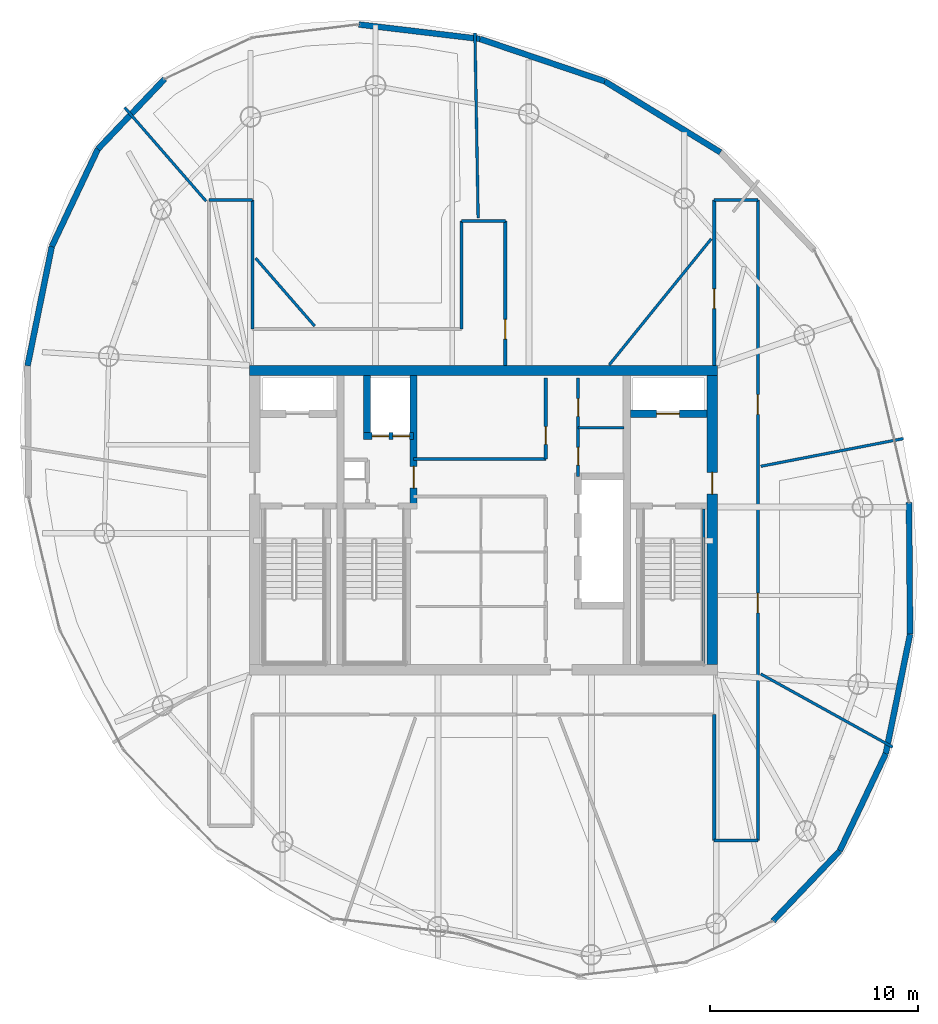
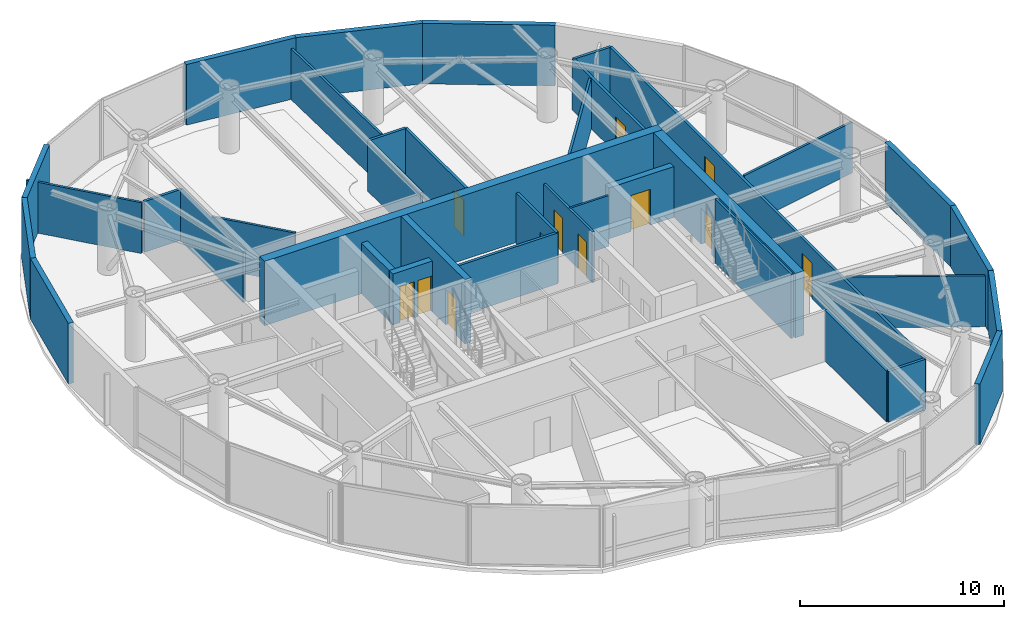
# One storey, part 17 of 21: 37 walls, 12 doors, 12 openings.
"""IFC4 building model written with IfcOpenShell, lengths in metres."""

from ifc_helpers import new_model, si_unit, direction, frame, frame_2d, origin, place, context, subcontext, project, spatial, rectangle, extrude, material, layer, layer_set, type_object, element, fill, save


model = new_model("IFC4")

# Units and contexts
model_context = context("Model", 3, precision=1e-05, world=origin(), true_north=direction((0.0, 1.0)))
body_context = subcontext(model_context, "Body", "Model", "MODEL_VIEW")
ifc_project = project(units=[si_unit("LENGTHUNIT", "METRE"), si_unit("AREAUNIT", "SQUARE_METRE"), si_unit("VOLUMEUNIT", "CUBIC_METRE"), si_unit("PLANEANGLEUNIT", "RADIAN"), si_unit("MASSUNIT", "GRAM", prefix="KILO")], contexts=[model_context])

# Site, building, storey
site_placement = place(None, origin())
site = spatial("IfcSite", under=ifc_project, at=site_placement, CompositionType="ELEMENT")
building_placement = place(site_placement, origin())
building = spatial("IfcBuilding", under=site, at=building_placement, Name="Bramvorn Convention Spire", CompositionType="ELEMENT")
storey_placement = place(building_placement, frame((0.0, 0.0, 249.75)))
storey = spatial("IfcBuildingStorey", under=building, at=storey_placement, Name="L63", CompositionType="ELEMENT", Elevation=249.75)

# Wall
ifc_material_1 = material(Name="Concrete C50/60", Category="concrete")
ifc_layer_1 = layer(ifc_material_1, 0.5)
ifc_layer_set_1 = layer_set([ifc_layer_1], Name="Concrete C50/60 - WL-CORE-500")
wall_type_1 = type_object("IfcWallType", Name="WL-CORE-500", PredefinedType="SHEAR", material=ifc_layer_set_1)
wall_1_placement = place(storey_placement, frame((26.75, 33.199951171875, 0.0), z_axis=(0.0, 0.0, 1.0), x_axis=(1.0, 0.0, 0.0)))
element("IfcWall", 1, at=wall_1_placement, inside=storey, type_object=wall_type_1, Name="L63 North RC core shear wall", PredefinedType="SHEAR", context=body_context, shape_type="SweptSolid", body=[
    extrude(rectangle(XDim=22.5, YDim=0.5, at=frame_2d((11.25, 0.0))), origin(), (0.0, 0.0, 1.0), 3.85009765625),
])

# Wall, opening, door
wall_2_placement = place(storey_placement, frame((49.0, 19.050048828125, 0.0), z_axis=(0.0, 0.0, 1.0), x_axis=(0.0, 1.0, 0.0)))
wall_2 = element("IfcWall", 2, at=wall_2_placement, inside=storey, type_object=wall_type_1, Name="L63 East RC core shear wall", PredefinedType="SHEAR", context=body_context, shape_type="SweptSolid", body=[
    extrude(rectangle(XDim=13.89990234375, YDim=0.5, at=frame_2d((6.949951171875, 0.0))), origin(), (0.0, 0.0, 1.0), 3.85009765625),
])
opening_1_placement = place(wall_2_placement, frame((8.199951171875, 0.0, 0.0)))
opening_1 = element("IfcOpeningElement", 3, at=opening_1_placement, cuts=wall_2, Name="Opening DL-105", PredefinedType="OPENING", context=body_context, shape_type="SweptSolid", body=[
    extrude(rectangle(XDim=1.050048828125, YDim=2.14990234375, at=frame_2d((0.52490234375, 1.074951171875))), frame((0.0, 0.260009765625, 0.0), z_axis=(0.0, -1.0, 0.0), x_axis=(1.0, 0.0, 0.0)), (0.0, 0.0, 1.0), 0.52001953125),
])
ifc_material_2 = material(Name="Smoke-Sealed Fire Lobby Timber-Core Door", Category="wood")
door_type_1 = type_object("IfcDoorType", Name="DR-LOBBY-1050", OperationType="NOTDEFINED", PredefinedType="DOOR", material=ifc_material_2)
door_1_placement = place(opening_1_placement, origin())
door_1 = element("IfcDoor", 4, at=door_1_placement, inside=storey, type_object=door_type_1, Name="L63 East Firefighting Lobby corridor door", OperationType="SINGLE_SWING_LEFT", OverallHeight=2.14990234375, OverallWidth=1.050048828125, PredefinedType="DOOR", context=body_context, shape_type="SweptSolid", body=[
    extrude(rectangle(XDim=1.050048828125, YDim=2.14990234375, at=frame_2d((0.52490234375, 1.074951171875))), frame((0.0, 0.02490234375, 0.0), z_axis=(0.0, -1.0, 0.0), x_axis=(1.0, 0.0, 0.0)), (0.0, 0.0, 1.0), 0.050048828125),
])
fill(opening_1, door_1)

ifc_layer_2 = layer(ifc_material_1, 0.35009765625)
ifc_layer_set_2 = layer_set([ifc_layer_2], Name="Concrete C50/60 - WL-CORE-INT-350")
wall_type_2 = type_object("IfcWallType", Name="WL-CORE-INT-350", PredefinedType="SHEAR", material=ifc_layer_set_2)
wall_3_placement = place(storey_placement, frame((45.080078125, 31.1201171875, 0.0), z_axis=(0.0, 0.0, 1.0), x_axis=(1.0, 0.0, 0.0)))
wall_3 = element("IfcWall", 5, at=wall_3_placement, inside=storey, type_object=wall_type_2, Name="L63 FE2 shaft front wall", PredefinedType="SHEAR", context=body_context, shape_type="SweptSolid", body=[
    extrude(rectangle(XDim=3.669921875, YDim=0.35009765625, at=frame_2d((1.8349609375, 0.0))), origin(), (0.0, 0.0, 1.0), 3.0400390625),
])
opening_2_placement = place(wall_3_placement, frame((1.25, 0.0, 0.0)))
opening_2 = element("IfcOpeningElement", 6, at=opening_2_placement, cuts=wall_3, Name="Opening LD-110", PredefinedType="OPENING", context=body_context, shape_type="SweptSolid", body=[
    extrude(rectangle(XDim=1.10009765625, YDim=2.14990234375, at=frame_2d((0.550048828125, 1.074951171875))), frame((0.0, 0.18505859375, 0.0), z_axis=(0.0, -1.0, 0.0), x_axis=(1.0, 0.0, 0.0)), (0.0, 0.0, 1.0), 0.3701171875),
])
ifc_material_3 = material(Name="Firefighting & Service Lift Sliding Landing Door", Category="steel")
door_type_2 = type_object("IfcDoorType", Name="DR-LIFT-LD-1100", OperationType="NOTDEFINED", PredefinedType="DOOR", material=ifc_material_3)
door_2_placement = place(opening_2_placement, origin())
door_2 = element("IfcDoor", 7, at=door_2_placement, inside=storey, type_object=door_type_2, Name="L63 Lift FE2 Sliding Landing Door", OperationType="SLIDING_TO_LEFT", OverallHeight=2.14990234375, OverallWidth=1.10009765625, PredefinedType="DOOR", context=body_context, shape_type="SweptSolid", body=[
    extrude(rectangle(XDim=1.10009765625, YDim=2.14990234375, at=frame_2d((0.550048828125, 1.074951171875))), frame((0.0, 0.02490234375, 0.0), z_axis=(0.0, -1.0, 0.0), x_axis=(1.0, 0.0, 0.0)), (0.0, 0.0, 1.0), 0.050048828125),
])
fill(opening_2, door_2)

wall_4_placement = place(storey_placement, frame((34.639892578125, 26.68994140625, 0.0), z_axis=(0.0, 0.0, 1.0), x_axis=(0.0, 1.0, 0.0)))
wall_4 = element("IfcWall", 8, at=wall_4_placement, inside=storey, type_object=wall_type_2, Name="L63 SV east core shaft wall", PredefinedType="SHEAR", context=body_context, shape_type="SweptSolid", body=[
    extrude(rectangle(XDim=6.260009765625, YDim=0.35009765625, at=frame_2d((3.1298828125, 0.0))), origin(), (0.0, 0.0, 1.0), 3.85009765625),
])
opening_3_placement = place(wall_4_placement, frame((0.85009765625, 0.0, 0.0)))
opening_3 = element("IfcOpeningElement", 9, at=opening_3_placement, cuts=wall_4, Name="Opening DL-105", PredefinedType="OPENING", context=body_context, shape_type="SweptSolid", body=[
    extrude(rectangle(XDim=1.050048828125, YDim=2.14990234375, at=frame_2d((0.52490234375, 1.074951171875))), frame((0.0, 0.18505859375, 0.0), z_axis=(0.0, -1.0, 0.0), x_axis=(1.0, 0.0, 0.0)), (0.0, 0.0, 1.0), 0.3701171875),
])
door_3_placement = place(opening_3_placement, origin())
door_3 = element("IfcDoor", 10, at=door_3_placement, inside=storey, type_object=door_type_1, Name="L63 Core cross-passage door", OperationType="SINGLE_SWING_RIGHT", OverallHeight=2.14990234375, OverallWidth=1.050048828125, PredefinedType="DOOR", context=body_context, shape_type="SweptSolid", body=[
    extrude(rectangle(XDim=1.050048828125, YDim=2.14990234375, at=frame_2d((0.52490234375, 1.074951171875))), frame((0.0, 0.02490234375, 0.0), z_axis=(0.0, -1.0, 0.0), x_axis=(1.0, 0.0, 0.0)), (0.0, 0.0, 1.0), 0.050048828125),
])
fill(opening_3, door_3)

# Wall, openings, doors
wall_5_placement = place(storey_placement, frame((32.22998046875, 30.050048828125, 0.0), z_axis=(0.0, 0.0, 1.0), x_axis=(1.0, 0.0, 0.0)))
wall_5 = element("IfcWall", 11, at=wall_5_placement, inside=storey, type_object=wall_type_2, Name="L63 SV1/SV2 shaft front wall", PredefinedType="SHEAR", context=body_context, shape_type="SweptSolid", body=[
    extrude(rectangle(XDim=2.409912109375, YDim=0.35009765625, at=frame_2d((1.205078125, 0.0))), origin(), (0.0, 0.0, 1.0), 3.0400390625),
])
opening_4_placement = place(wall_5_placement, frame((0.419921875, 0.0, 0.0)))
opening_4 = element("IfcOpeningElement", 12, at=opening_4_placement, cuts=wall_5, Name="Opening LD-080", PredefinedType="OPENING", context=body_context, shape_type="SweptSolid", body=[
    extrude(rectangle(XDim=0.800048828125, YDim=2.14990234375, at=frame_2d((0.39990234375, 1.074951171875))), frame((0.0, 0.18505859375, 0.0), z_axis=(0.0, -1.0, 0.0), x_axis=(1.0, 0.0, 0.0)), (0.0, 0.0, 1.0), 0.3701171875),
])
opening_5_placement = place(wall_5_placement, frame((1.419921875, 0.0, 0.0)))
opening_5 = element("IfcOpeningElement", 13, at=opening_5_placement, cuts=wall_5, Name="Opening LD-080", PredefinedType="OPENING", context=body_context, shape_type="SweptSolid", body=[
    extrude(rectangle(XDim=0.800048828125, YDim=2.14990234375, at=frame_2d((0.39990234375, 1.074951171875))), frame((0.0, 0.18505859375, 0.0), z_axis=(0.0, -1.0, 0.0), x_axis=(1.0, 0.0, 0.0)), (0.0, 0.0, 1.0), 0.3701171875),
])
ifc_material_4 = material(Name="Service Lift Bi-Parting Landing Door", Category="steel")
door_type_3 = type_object("IfcDoorType", Name="DR-LIFT-LD-800", OperationType="NOTDEFINED", PredefinedType="DOOR", material=ifc_material_4)
door_4_placement = place(opening_4_placement, origin())
door_4 = element("IfcDoor", 14, at=door_4_placement, inside=storey, type_object=door_type_3, Name="L63 Lift SV1 Sliding Landing Door", OperationType="SLIDING_TO_LEFT", OverallHeight=2.14990234375, OverallWidth=0.800048828125, PredefinedType="DOOR", context=body_context, shape_type="SweptSolid", body=[
    extrude(rectangle(XDim=0.800048828125, YDim=2.14990234375, at=frame_2d((0.39990234375, 1.074951171875))), frame((0.0, 0.02490234375, 0.0), z_axis=(0.0, -1.0, 0.0), x_axis=(1.0, 0.0, 0.0)), (0.0, 0.0, 1.0), 0.050048828125),
])
fill(opening_4, door_4)
door_5_placement = place(opening_5_placement, origin())
door_5 = element("IfcDoor", 15, at=door_5_placement, inside=storey, type_object=door_type_3, Name="L63 Lift SV2 Sliding Landing Door", OperationType="SLIDING_TO_LEFT", OverallHeight=2.14990234375, OverallWidth=0.800048828125, PredefinedType="DOOR", context=body_context, shape_type="SweptSolid", body=[
    extrude(rectangle(XDim=0.800048828125, YDim=2.14990234375, at=frame_2d((0.39990234375, 1.074951171875))), frame((0.0, 0.02490234375, 0.0), z_axis=(0.0, -1.0, 0.0), x_axis=(1.0, 0.0, 0.0)), (0.0, 0.0, 1.0), 0.050048828125),
])
fill(opening_5, door_5)

# Walls
wall_6_placement = place(storey_placement, frame((32.39990234375, 30.219970703125, 0.0), z_axis=(0.0, 0.0, 1.0), x_axis=(0.0, 1.0, 0.0)))
element("IfcWall", 16, at=wall_6_placement, inside=storey, type_object=wall_type_2, Name="L63 SV1 west hoistway wall", PredefinedType="SHEAR", context=body_context, shape_type="SweptSolid", body=[
    extrude(rectangle(XDim=2.72998046875, YDim=0.35009765625, at=frame_2d((1.364990234375, 0.0))), origin(), (0.0, 0.0, 1.0), 3.0400390625),
])
ifc_material_5 = material(Name="Precast Concrete C40/50 with Bronze Terracotta Rainscreen", Category="masonry")
ifc_layer_3 = layer(ifc_material_5, 0.300048828125)
ifc_layer_set_3 = layer_set([ifc_layer_3], Name="Precast Concrete C40/50 with Bronze Terracotta Rainscreen - WL-EXT-BRONZE-300")
wall_type_3 = type_object("IfcWallType", Name="WL-EXT-BRONZE-300", PredefinedType="SOLIDWALL", material=ifc_layer_set_3)
wall_7_placement = place(storey_placement, frame((55.134521484375, 10.0927734375, 0.0), z_axis=(0.0, 0.0, 1.0), x_axis=(-0.68967876669, -0.724115459562, 0.0)))
element("IfcWall", 17, at=wall_7_placement, inside=storey, type_object=wall_type_3, Name="L63 expressed bronze Gothic lancet pier wall 01", PredefinedType="SOLIDWALL", context=body_context, shape_type="SweptSolid", body=[
    extrude(rectangle(XDim=4.650634765625, YDim=0.280029296875, at=frame_2d((2.3251953125, 0.0))), origin(), (0.0, 0.0, 1.0), 3.625),
])
wall_8_placement = place(storey_placement, frame((57.3515625, 14.7734375, 0.0), z_axis=(0.0, 0.0, 1.0), x_axis=(-0.428068107667, -0.903746477281, 0.0)))
element("IfcWall", 18, at=wall_8_placement, inside=storey, type_object=wall_type_3, Name="L63 expressed bronze Gothic lancet pier wall 02", PredefinedType="SOLIDWALL", context=body_context, shape_type="SweptSolid", body=[
    extrude(rectangle(XDim=5.17919921875, YDim=0.280029296875, at=frame_2d((2.589599609375, 0.0))), origin(), (0.0, 0.0, 1.0), 3.625),
])
wall_9_placement = place(storey_placement, frame((58.5205078125, 20.515625, 0.0), z_axis=(0.0, 0.0, 1.0), x_axis=(-0.199480028062, -0.979901892234, 0.0)))
element("IfcWall", 19, at=wall_9_placement, inside=storey, type_object=wall_type_3, Name="L63 expressed bronze Gothic lancet pier wall 03", PredefinedType="SOLIDWALL", context=body_context, shape_type="SweptSolid", body=[
    extrude(rectangle(XDim=5.85986328125, YDim=0.280029296875, at=frame_2d((2.929931640625, 0.0))), origin(), (0.0, 0.0, 1.0), 3.625),
])
wall_10_placement = place(storey_placement, frame((58.46826171875, 26.860595703125, 0.0), z_axis=(0.0, 0.0, 1.0), x_axis=(0.008233973814, -0.999966100263, 0.0)))
element("IfcWall", 20, at=wall_10_placement, inside=storey, type_object=wall_type_3, Name="L63 expressed bronze Gothic lancet pier wall 04", PredefinedType="SOLIDWALL", context=body_context, shape_type="SweptSolid", body=[
    extrude(rectangle(XDim=6.34521484375, YDim=0.280029296875, at=frame_2d((3.172607421875, 0.0))), origin(), (0.0, 0.0, 1.0), 3.625),
])
wall_11_placement = place(storey_placement, frame((43.83837890625, 47.108154296875, 0.0), z_axis=(0.0, 0.0, 1.0), x_axis=(0.852253742536, -0.523128625038, 0.0)))
element("IfcWall", 21, at=wall_11_placement, inside=storey, type_object=wall_type_3, Name="L63 expressed bronze Gothic lancet pier wall 08", PredefinedType="SOLIDWALL", context=body_context, shape_type="SweptSolid", body=[
    extrude(rectangle(XDim=6.526123046875, YDim=0.280029296875, at=frame_2d((3.26318359375, 0.0))), origin(), (0.0, 0.0, 1.0), 3.625),
])
wall_12_placement = place(storey_placement, frame((37.83056640625, 49.14990234375, 0.0), z_axis=(0.0, 0.0, 1.0), x_axis=(0.946816357847, -0.321774431107, 0.0)))
element("IfcWall", 22, at=wall_12_placement, inside=storey, type_object=wall_type_3, Name="L63 expressed bronze Gothic lancet pier wall 09", PredefinedType="SOLIDWALL", context=body_context, shape_type="SweptSolid", body=[
    extrude(rectangle(XDim=6.34521484375, YDim=0.280029296875, at=frame_2d((3.172607421875, 0.0))), origin(), (0.0, 0.0, 1.0), 3.625),
])
wall_13_placement = place(storey_placement, frame((32.01171875, 49.84326171875, 0.0), z_axis=(0.0, 0.0, 1.0), x_axis=(0.992975459994, -0.118320479415, 0.0)))
element("IfcWall", 23, at=wall_13_placement, inside=storey, type_object=wall_type_3, Name="L63 expressed bronze Gothic lancet pier wall 10", PredefinedType="SOLIDWALL", context=body_context, shape_type="SweptSolid", body=[
    extrude(rectangle(XDim=5.860107421875, YDim=0.280029296875, at=frame_2d((2.93017578125, 0.0))), origin(), (0.0, 0.0, 1.0), 3.625),
])
wall_14_placement = place(storey_placement, frame((19.4599609375, 43.852783203125, 0.0), z_axis=(0.0, 0.0, 1.0), x_axis=(0.68967745757, 0.724116706422, 0.0)))
element("IfcWall", 24, at=wall_14_placement, inside=storey, type_object=wall_type_3, Name="L63 expressed bronze Gothic lancet pier wall 13", PredefinedType="SOLIDWALL", context=body_context, shape_type="SweptSolid", body=[
    extrude(rectangle(XDim=4.650390625, YDim=0.280029296875, at=frame_2d((2.3251953125, 0.0))), origin(), (0.0, 0.0, 1.0), 3.625),
])
wall_15_placement = place(storey_placement, frame((17.242919921875, 39.172119140625, 0.0), z_axis=(0.0, 0.0, 1.0), x_axis=(0.428068107667, 0.903746477281, 0.0)))
element("IfcWall", 25, at=wall_15_placement, inside=storey, type_object=wall_type_3, Name="L63 expressed bronze Gothic lancet pier wall 14", PredefinedType="SOLIDWALL", context=body_context, shape_type="SweptSolid", body=[
    extrude(rectangle(XDim=5.17919921875, YDim=0.280029296875, at=frame_2d((2.589599609375, 0.0))), origin(), (0.0, 0.0, 1.0), 3.625),
])
wall_16_placement = place(storey_placement, frame((16.073974609375, 33.4296875, 0.0), z_axis=(0.0, 0.0, 1.0), x_axis=(0.199471884584, 0.979903549979, 0.0)))
element("IfcWall", 26, at=wall_16_placement, inside=storey, type_object=wall_type_3, Name="L63 expressed bronze Gothic lancet pier wall 15", PredefinedType="SOLIDWALL", context=body_context, shape_type="SweptSolid", body=[
    extrude(rectangle(XDim=5.860107421875, YDim=0.280029296875, at=frame_2d((2.93017578125, 0.0))), origin(), (0.0, 0.0, 1.0), 3.625),
])
ifc_material_6 = material(Name="Lightweight En-Suite & Wet-Wall Partition", Category="gypsum")
ifc_layer_4 = layer(ifc_material_6, 0.110107421875)
ifc_layer_set_4 = layer_set([ifc_layer_4], Name="Lightweight En-Suite & Wet-Wall Partition - WL-PART-110")
wall_type_4 = type_object("IfcWallType", Name="WL-PART-110", PredefinedType="PARTITIONING", material=ifc_layer_set_4)
wall_17_placement = place(storey_placement, frame((42.550048828125, 30.449951171875, 0.0), z_axis=(0.0, 0.0, 1.0), x_axis=(1.0, 0.0, 0.0)))
element("IfcWall", 27, at=wall_17_placement, inside=storey, type_object=wall_type_4, Name="L63 KB NE divider", PredefinedType="PARTITIONING", context=body_context, shape_type="SweptSolid", body=[
    extrude(rectangle(XDim=2.199951171875, YDim=0.110107421875, at=frame_2d((1.10009765625, 0.0))), origin(), (0.0, 0.0, 1.0), 3.0400390625),
])

# Wall, openings, doors
ifc_material_7 = material(Name="Metal-Stud Demountable Office Partition", Category="gypsum")
ifc_layer_5 = layer(ifc_material_7, 0.1298828125)
ifc_layer_set_5 = layer_set([ifc_layer_5], Name="Metal-Stud Demountable Office Partition - WL-PART-130")
wall_type_5 = type_object("IfcWallType", Name="WL-PART-130", PredefinedType="PARTITIONING", material=ifc_layer_set_5)
wall_18_placement = place(storey_placement, frame((42.550048828125, 28.10009765625, 0.0), z_axis=(0.0, 0.0, 1.0), x_axis=(0.0, 1.0, 0.0)))
wall_18 = element("IfcWall", 28, at=wall_18_placement, inside=storey, type_object=wall_type_5, Name="L63 KB NE split wall", PredefinedType="PARTITIONING", context=body_context, shape_type="SweptSolid", body=[
    extrude(rectangle(XDim=4.75, YDim=0.1298828125, at=frame_2d((2.375, 0.0))), origin(), (0.0, 0.0, 1.0), 3.0400390625),
])
opening_6_placement = place(wall_18_placement, frame((0.550048828125, 0.0, 0.0)))
opening_6 = element("IfcOpeningElement", 29, at=opening_6_placement, cuts=wall_18, Name="Opening DC-085", PredefinedType="OPENING", context=body_context, shape_type="SweptSolid", body=[
    extrude(rectangle(XDim=0.85009765625, YDim=2.10009765625, at=frame_2d((0.425048828125, 1.050048828125))), frame((0.0, 0.074951171875, 0.0), z_axis=(0.0, -1.0, 0.0), x_axis=(1.0, 0.0, 0.0)), (0.0, 0.0, 1.0), 0.14990234375),
])
opening_7_placement = place(wall_18_placement, frame((2.89990234375, 0.0, 0.0)))
opening_7 = element("IfcOpeningElement", 30, at=opening_7_placement, cuts=wall_18, Name="Opening DC-085", PredefinedType="OPENING", context=body_context, shape_type="SweptSolid", body=[
    extrude(rectangle(XDim=0.85009765625, YDim=2.10009765625, at=frame_2d((0.425048828125, 1.050048828125))), frame((0.0, 0.074951171875, 0.0), z_axis=(0.0, -1.0, 0.0), x_axis=(1.0, 0.0, 0.0)), (0.0, 0.0, 1.0), 0.14990234375),
])
ifc_material_8 = material(Name="Fire-Rated Core Washroom & IDF Door", Category="wood")
door_type_4 = type_object("IfcDoorType", Name="DR-CORE-850", OperationType="NOTDEFINED", PredefinedType="DOOR", material=ifc_material_8)
door_6_placement = place(opening_6_placement, origin())
door_6 = element("IfcDoor", 31, at=door_6_placement, inside=storey, type_object=door_type_4, Name="L63 Core Staff WC door", OperationType="SINGLE_SWING_LEFT", OverallHeight=2.10009765625, OverallWidth=0.85009765625, PredefinedType="DOOR", context=body_context, shape_type="SweptSolid", body=[
    extrude(rectangle(XDim=0.85009765625, YDim=2.10009765625, at=frame_2d((0.425048828125, 1.050048828125))), frame((0.0, 0.02490234375, 0.0), z_axis=(0.0, -1.0, 0.0), x_axis=(1.0, 0.0, 0.0)), (0.0, 0.0, 1.0), 0.050048828125),
])
fill(opening_6, door_6)
door_7_placement = place(opening_7_placement, origin())
door_7 = element("IfcDoor", 32, at=door_7_placement, inside=storey, type_object=door_type_4, Name="L63 Core Data Closet door", OperationType="SINGLE_SWING_LEFT", OverallHeight=2.10009765625, OverallWidth=0.85009765625, PredefinedType="DOOR", context=body_context, shape_type="SweptSolid", body=[
    extrude(rectangle(XDim=0.85009765625, YDim=2.10009765625, at=frame_2d((0.425048828125, 1.050048828125))), frame((0.0, 0.02490234375, 0.0), z_axis=(0.0, -1.0, 0.0), x_axis=(1.0, 0.0, 0.0)), (0.0, 0.0, 1.0), 0.050048828125),
])
fill(opening_7, door_7)

# Walls
wall_19_placement = place(storey_placement, frame((51.340087890625, 28.593017578125, 0.0), z_axis=(0.0, 0.0, 1.0), x_axis=(0.981623384969, 0.190828535816, 0.0)))
element("IfcWall", 33, at=wall_19_placement, inside=storey, type_object=wall_type_5, Name="L63 Tenant suite partition 1", PredefinedType="PARTITIONING", context=body_context, shape_type="SweptSolid", body=[
    extrude(rectangle(XDim=6.99169921875, YDim=0.1298828125, at=frame_2d((3.495849609375, 0.0))), origin(), (0.0, 0.0, 1.0), 3.0400390625),
])
wall_20_placement = place(storey_placement, frame((44.049072265625, 33.469970703125, 0.0), z_axis=(0.0, 0.0, 1.0), x_axis=(0.629319722443, 0.777146502883, 0.0)))
element("IfcWall", 34, at=wall_20_placement, inside=storey, type_object=wall_type_5, Name="L63 Tenant suite partition 2", PredefinedType="PARTITIONING", context=body_context, shape_type="SweptSolid", body=[
    extrude(rectangle(XDim=7.803466796875, YDim=0.1298828125, at=frame_2d((3.90185546875, 0.0))), origin(), (0.0, 0.0, 1.0), 3.0400390625),
])
wall_21_placement = place(storey_placement, frame((37.74609375, 40.5400390625, 0.0), z_axis=(0.0, 0.0, 1.0), x_axis=(-0.017434428184, 0.999848008806, 0.0)))
element("IfcWall", 35, at=wall_21_placement, inside=storey, type_object=wall_type_5, Name="L63 Tenant suite partition 3", PredefinedType="PARTITIONING", context=body_context, shape_type="SweptSolid", body=[
    extrude(rectangle(XDim=8.90625, YDim=0.1298828125, at=frame_2d((4.453125, 0.0))), origin(), (0.0, 0.0, 1.0), 3.0400390625),
])
wall_22_placement = place(storey_placement, frame((29.880859375, 35.340087890625, 0.0), z_axis=(0.0, 0.0, 1.0), x_axis=(-0.656078202057, 0.754692912903, 0.0)))
element("IfcWall", 36, at=wall_22_placement, inside=storey, type_object=wall_type_5, Name="L63 Tenant suite partition 4", PredefinedType="PARTITIONING", context=body_context, shape_type="SweptSolid", body=[
    extrude(rectangle(XDim=4.330078125, YDim=0.1298828125, at=frame_2d((2.1650390625, 0.0))), origin(), (0.0, 0.0, 1.0), 3.0400390625),
])
wall_23_placement = place(storey_placement, frame((24.659912109375, 41.345947265625, 0.0), z_axis=(0.0, 0.0, 1.0), x_axis=(-0.656059320553, 0.754709326771, 0.0)))
element("IfcWall", 37, at=wall_23_placement, inside=storey, type_object=wall_type_5, Name="L63 Tenant suite partition 4", PredefinedType="PARTITIONING", context=body_context, shape_type="SweptSolid", body=[
    extrude(rectangle(XDim=5.97412109375, YDim=0.1298828125, at=frame_2d((2.987060546875, 0.0))), origin(), (0.0, 0.0, 1.0), 3.0400390625),
])
wall_24_placement = place(storey_placement, frame((51.340087890625, 18.60546875, 0.0), z_axis=(0.0, 0.0, 1.0), x_axis=(0.87461556229, -0.484817097678, 0.0)))
element("IfcWall", 38, at=wall_24_placement, inside=storey, type_object=wall_type_5, Name="L63 Tenant suite partition 9", PredefinedType="PARTITIONING", context=body_context, shape_type="SweptSolid", body=[
    extrude(rectangle(XDim=7.255859375, YDim=0.1298828125, at=frame_2d((3.6279296875, 0.0))), origin(), (0.0, 0.0, 1.0), 3.0400390625),
])
ifc_material_9 = material(Name="Acoustic Metal-Stud Tenant/Corridor Partition", Category="gypsum")
ifc_layer_6 = layer(ifc_material_9, 0.14990234375)
ifc_layer_set_6 = layer_set([ifc_layer_6], Name="Acoustic Metal-Stud Tenant/Corridor Partition - WL-PART-150")
wall_type_6 = type_object("IfcWallType", Name="WL-PART-150", PredefinedType="PARTITIONING", material=ifc_layer_set_6)
wall_25_placement = place(storey_placement, frame((34.639892578125, 28.949951171875, 0.0), z_axis=(0.0, 0.0, 1.0), x_axis=(1.0, 0.0, 0.0)))
element("IfcWall", 39, at=wall_25_placement, inside=storey, type_object=wall_type_6, Name="L63 Cross-core passage north wall", PredefinedType="PARTITIONING", context=body_context, shape_type="SweptSolid", body=[
    extrude(rectangle(XDim=6.360107421875, YDim=0.14990234375, at=frame_2d((3.18017578125, 0.0))), origin(), (0.0, 0.0, 1.0), 3.0400390625),
])

# Wall, opening, door
wall_26_placement = place(storey_placement, frame((41.0, 28.949951171875, 0.0), z_axis=(0.0, 0.0, 1.0), x_axis=(0.0, 1.0, 0.0)))
wall_26 = element("IfcWall", 40, at=wall_26_placement, inside=storey, type_object=wall_type_6, Name="L63 Freed north shaft room wall", PredefinedType="PARTITIONING", context=body_context, shape_type="SweptSolid", body=[
    extrude(rectangle(XDim=3.900146484375, YDim=0.14990234375, at=frame_2d((1.9501953125, 0.0))), origin(), (0.0, 0.0, 1.0), 3.0400390625),
])
opening_8_placement = place(wall_26_placement, frame((0.699951171875, 0.0, 0.0)))
opening_8 = element("IfcOpeningElement", 41, at=opening_8_placement, cuts=wall_26, Name="Opening DC-085", PredefinedType="OPENING", context=body_context, shape_type="SweptSolid", body=[
    extrude(rectangle(XDim=0.85009765625, YDim=2.10009765625, at=frame_2d((0.425048828125, 1.050048828125))), frame((0.0, 0.0849609375, 0.0), z_axis=(0.0, -1.0, 0.0), x_axis=(1.0, 0.0, 0.0)), (0.0, 0.0, 1.0), 0.169921875),
])
door_8_placement = place(opening_8_placement, origin())
door_8 = element("IfcDoor", 42, at=door_8_placement, inside=storey, type_object=door_type_4, Name="L63 North core archive door", OperationType="SINGLE_SWING_LEFT", OverallHeight=2.10009765625, OverallWidth=0.85009765625, PredefinedType="DOOR", context=body_context, shape_type="SweptSolid", body=[
    extrude(rectangle(XDim=0.85009765625, YDim=2.10009765625, at=frame_2d((0.425048828125, 1.050048828125))), frame((0.0, 0.02490234375, 0.0), z_axis=(0.0, -1.0, 0.0), x_axis=(1.0, 0.0, 0.0)), (0.0, 0.0, 1.0), 0.050048828125),
])
fill(opening_8, door_8)

# Walls
wall_27_placement = place(storey_placement, frame((26.89990234375, 35.199951171875, 0.0), z_axis=(0.0, 0.0, 1.0), x_axis=(0.0, 1.0, 0.0)))
element("IfcWall", 43, at=wall_27_placement, inside=storey, type_object=wall_type_6, Name="L63 West gallery NE wall", PredefinedType="PARTITIONING", context=body_context, shape_type="SweptSolid", body=[
    extrude(rectangle(XDim=6.199951171875, YDim=0.14990234375, at=frame_2d((3.10009765625, 0.0))), origin(), (0.0, 0.0, 1.0), 3.0400390625),
])
wall_28_placement = place(storey_placement, frame((24.800048828125, 41.39990234375, 0.0), z_axis=(0.0, 0.0, 1.0), x_axis=(1.0, 0.0, 0.0)))
element("IfcWall", 44, at=wall_28_placement, inside=storey, type_object=wall_type_6, Name="L63 West gallery north end", PredefinedType="PARTITIONING", context=body_context, shape_type="SweptSolid", body=[
    extrude(rectangle(XDim=2.099853515625, YDim=0.14990234375, at=frame_2d((1.0498046875, 0.0))), origin(), (0.0, 0.0, 1.0), 3.0400390625),
])

# Wall, openings, doors
wall_29_placement = place(storey_placement, frame((51.199951171875, 10.60009765625, 0.0), z_axis=(0.0, 0.0, 1.0), x_axis=(0.0, 1.0, 0.0)))
wall_29 = element("IfcWall", 45, at=wall_29_placement, inside=storey, type_object=wall_type_6, Name="L63 East N-S gallery outer wall", PredefinedType="PARTITIONING", context=body_context, shape_type="SweptSolid", body=[
    extrude(rectangle(XDim=30.7998046875, YDim=0.14990234375, at=frame_2d((15.39990234375, 0.0))), origin(), (0.0, 0.0, 1.0), 3.0400390625),
])
opening_9_placement = place(wall_29_placement, frame((20.494384765625, 0.0, 0.0)))
opening_9 = element("IfcOpeningElement", 46, at=opening_9_placement, cuts=wall_29, Name="Opening DH-095", PredefinedType="OPENING", context=body_context, shape_type="SweptSolid", body=[
    extrude(rectangle(XDim=0.949951171875, YDim=2.14990234375, at=frame_2d((0.47509765625, 1.074951171875))), frame((0.0, 0.0849609375, 0.0), z_axis=(0.0, -1.0, 0.0), x_axis=(1.0, 0.0, 0.0)), (0.0, 0.0, 1.0), 0.169921875),
])
opening_10_placement = place(wall_29_placement, frame((10.941162109375, 0.0, 0.0)))
opening_10 = element("IfcOpeningElement", 47, at=opening_10_placement, cuts=wall_29, Name="Opening DH-095", PredefinedType="OPENING", context=body_context, shape_type="SweptSolid", body=[
    extrude(rectangle(XDim=0.949951171875, YDim=2.14990234375, at=frame_2d((0.47509765625, 1.074951171875))), frame((0.0, 0.0849609375, 0.0), z_axis=(0.0, -1.0, 0.0), x_axis=(1.0, 0.0, 0.0)), (0.0, 0.0, 1.0), 0.169921875),
])
ifc_material_10 = material(Name="Solid-Core Acoustic Guestroom Entry Door", Category="wood")
door_type_5 = type_object("IfcDoorType", Name="DR-HOTEL-950", OperationType="NOTDEFINED", PredefinedType="DOOR", material=ifc_material_10)
door_9_placement = place(opening_9_placement, origin())
door_9 = element("IfcDoor", 48, at=door_9_placement, inside=storey, type_object=door_type_5, Name="L63 Conference Meeting Room 1 1 door", OperationType="SINGLE_SWING_RIGHT", OverallHeight=2.14990234375, OverallWidth=0.949951171875, PredefinedType="DOOR", context=body_context, shape_type="SweptSolid", body=[
    extrude(rectangle(XDim=0.949951171875, YDim=2.14990234375, at=frame_2d((0.47509765625, 1.074951171875))), frame((0.0, 0.02490234375, 0.0), z_axis=(0.0, -1.0, 0.0), x_axis=(1.0, 0.0, 0.0)), (0.0, 0.0, 1.0), 0.050048828125),
])
fill(opening_9, door_9)
door_10_placement = place(opening_10_placement, origin())
door_10 = element("IfcDoor", 49, at=door_10_placement, inside=storey, type_object=door_type_5, Name="L63 Conference Meeting Room 1 10 door", OperationType="SINGLE_SWING_LEFT", OverallHeight=2.14990234375, OverallWidth=0.949951171875, PredefinedType="DOOR", context=body_context, shape_type="SweptSolid", body=[
    extrude(rectangle(XDim=0.949951171875, YDim=2.14990234375, at=frame_2d((0.47509765625, 1.074951171875))), frame((0.0, 0.02490234375, 0.0), z_axis=(0.0, -1.0, 0.0), x_axis=(1.0, 0.0, 0.0)), (0.0, 0.0, 1.0), 0.050048828125),
])
fill(opening_10, door_10)

# Wall
wall_30_placement = place(storey_placement, frame((49.10009765625, 10.60009765625, 0.0), z_axis=(0.0, 0.0, 1.0), x_axis=(0.0, 1.0, 0.0)))
element("IfcWall", 50, at=wall_30_placement, inside=storey, type_object=wall_type_6, Name="L63 East gallery SW wall", PredefinedType="PARTITIONING", context=body_context, shape_type="SweptSolid", body=[
    extrude(rectangle(XDim=6.0498046875, YDim=0.14990234375, at=frame_2d((3.02490234375, 0.0))), origin(), (0.0, 0.0, 1.0), 3.0400390625),
])

# Wall, opening, door
wall_31_placement = place(storey_placement, frame((49.10009765625, 33.449951171875, 0.0), z_axis=(0.0, 0.0, 1.0), x_axis=(0.0, 1.0, 0.0)))
wall_31 = element("IfcWall", 51, at=wall_31_placement, inside=storey, type_object=wall_type_6, Name="L63 East gallery NW wall", PredefinedType="PARTITIONING", context=body_context, shape_type="SweptSolid", body=[
    extrude(rectangle(XDim=7.949951171875, YDim=0.14990234375, at=frame_2d((3.97509765625, 0.0))), origin(), (0.0, 0.0, 1.0), 3.0400390625),
])
opening_11_placement = place(wall_31_placement, frame((2.727783203125, 0.0, 0.0)))
opening_11 = element("IfcOpeningElement", 52, at=opening_11_placement, cuts=wall_31, Name="Opening DH-095", PredefinedType="OPENING", context=body_context, shape_type="SweptSolid", body=[
    extrude(rectangle(XDim=0.949951171875, YDim=2.14990234375, at=frame_2d((0.47509765625, 1.074951171875))), frame((0.0, 0.0849609375, 0.0), z_axis=(0.0, -1.0, 0.0), x_axis=(1.0, 0.0, 0.0)), (0.0, 0.0, 1.0), 0.169921875),
])
door_11_placement = place(opening_11_placement, origin())
door_11 = element("IfcDoor", 53, at=door_11_placement, inside=storey, type_object=door_type_5, Name="L63 Conference Meeting Room 2 2 door", OperationType="SINGLE_SWING_LEFT", OverallHeight=2.14990234375, OverallWidth=0.949951171875, PredefinedType="DOOR", context=body_context, shape_type="SweptSolid", body=[
    extrude(rectangle(XDim=0.949951171875, YDim=2.14990234375, at=frame_2d((0.47509765625, 1.074951171875))), frame((0.0, 0.02490234375, 0.0), z_axis=(0.0, -1.0, 0.0), x_axis=(1.0, 0.0, 0.0)), (0.0, 0.0, 1.0), 0.050048828125),
])
fill(opening_11, door_11)

# Walls
for number, where, z_axis, x_axis, name in (
    (54, (49.10009765625, 10.60009765625, 0.0), (0.0, 0.0, 1.0), (1.0, 0.0, 0.0), "L63 East gallery south end"),
    (55, (49.10009765625, 41.39990234375, 0.0), (0.0, 0.0, 1.0), (1.0, 0.0, 0.0), "L63 East gallery north end"),
):
    element("IfcWall", number, at=place(storey_placement, frame(where, z_axis=z_axis, x_axis=x_axis)), inside=storey, type_object=wall_type_6, Name=name, PredefinedType="PARTITIONING", context=body_context, shape_type="SweptSolid", body=[
        extrude(rectangle(XDim=2.099853515625, YDim=0.14990234375, at=frame_2d((1.0498046875, 0.0))), origin(), (0.0, 0.0, 1.0), 3.0400390625),
    ])
wall_32_placement = place(storey_placement, frame((36.949951171875, 35.199951171875, 0.0), z_axis=(0.0, 0.0, 1.0), x_axis=(0.0, 1.0, 0.0)))
element("IfcWall", 56, at=wall_32_placement, inside=storey, type_object=wall_type_6, Name="L63 North spur west wall", PredefinedType="PARTITIONING", context=body_context, shape_type="SweptSolid", body=[
    extrude(rectangle(XDim=5.199951171875, YDim=0.14990234375, at=frame_2d((2.60009765625, 0.0))), origin(), (0.0, 0.0, 1.0), 3.0400390625),
])

# Wall, opening, door
wall_33_placement = place(storey_placement, frame((39.050048828125, 33.449951171875, 0.0), z_axis=(0.0, 0.0, 1.0), x_axis=(0.0, 1.0, 0.0)))
wall_33 = element("IfcWall", 57, at=wall_33_placement, inside=storey, type_object=wall_type_6, Name="L63 North spur east wall", PredefinedType="PARTITIONING", context=body_context, shape_type="SweptSolid", body=[
    extrude(rectangle(XDim=6.949951171875, YDim=0.14990234375, at=frame_2d((3.47509765625, 0.0))), origin(), (0.0, 0.0, 1.0), 3.0400390625),
])
opening_12_placement = place(wall_33_placement, frame((1.262451171875, 0.0, 0.0)))
opening_12 = element("IfcOpeningElement", 58, at=opening_12_placement, cuts=wall_33, Name="Opening DH-095", PredefinedType="OPENING", context=body_context, shape_type="SweptSolid", body=[
    extrude(rectangle(XDim=0.949951171875, YDim=2.14990234375, at=frame_2d((0.47509765625, 1.074951171875))), frame((0.0, 0.0849609375, 0.0), z_axis=(0.0, -1.0, 0.0), x_axis=(1.0, 0.0, 0.0)), (0.0, 0.0, 1.0), 0.169921875),
])
door_12_placement = place(opening_12_placement, origin())
door_12 = element("IfcDoor", 59, at=door_12_placement, inside=storey, type_object=door_type_5, Name="L63 Conference Meeting Room 3 3 door", OperationType="SINGLE_SWING_LEFT", OverallHeight=2.14990234375, OverallWidth=0.949951171875, PredefinedType="DOOR", context=body_context, shape_type="SweptSolid", body=[
    extrude(rectangle(XDim=0.949951171875, YDim=2.14990234375, at=frame_2d((0.47509765625, 1.074951171875))), frame((0.0, 0.02490234375, 0.0), z_axis=(0.0, -1.0, 0.0), x_axis=(1.0, 0.0, 0.0)), (0.0, 0.0, 1.0), 0.050048828125),
])
fill(opening_12, door_12)

# Walls
wall_34_placement = place(storey_placement, frame((36.949951171875, 40.39990234375, 0.0), z_axis=(0.0, 0.0, 1.0), x_axis=(1.0, 0.0, 0.0)))
element("IfcWall", 60, at=wall_34_placement, inside=storey, type_object=wall_type_6, Name="L63 North spur end wall", PredefinedType="PARTITIONING", context=body_context, shape_type="SweptSolid", body=[
    extrude(rectangle(XDim=2.10009765625, YDim=0.14990234375, at=frame_2d((1.050048828125, 0.0))), origin(), (0.0, 0.0, 1.0), 3.0400390625),
])
ifc_layer_7 = layer(ifc_material_1, 0.1201171875)
ifc_layer_set_7 = layer_set([ifc_layer_7], Name="Concrete C50/60 - WL-STAIR-RC-120")
wall_type_7 = type_object("IfcWallType", Name="WL-STAIR-RC-120", PredefinedType="SHEAR", material=ifc_layer_set_7)
wall_35_placement = place(storey_placement, frame((48.60498046875, 19.10009765625, 0.0), z_axis=(0.0, 0.0, 1.0), x_axis=(0.0, 1.0, 0.0)))
element("IfcWall", 61, at=wall_35_placement, inside=storey, type_object=wall_type_7, Name="L63 ST2 east bearing shear wall", PredefinedType="SHEAR", context=body_context, shape_type="SweptSolid", body=[
    extrude(rectangle(XDim=7.449951171875, YDim=0.1201171875, at=frame_2d((3.72509765625, 0.0))), origin(), (0.0, 0.0, 1.0), 3.85009765625),
])

save(model, "model.ifc")
